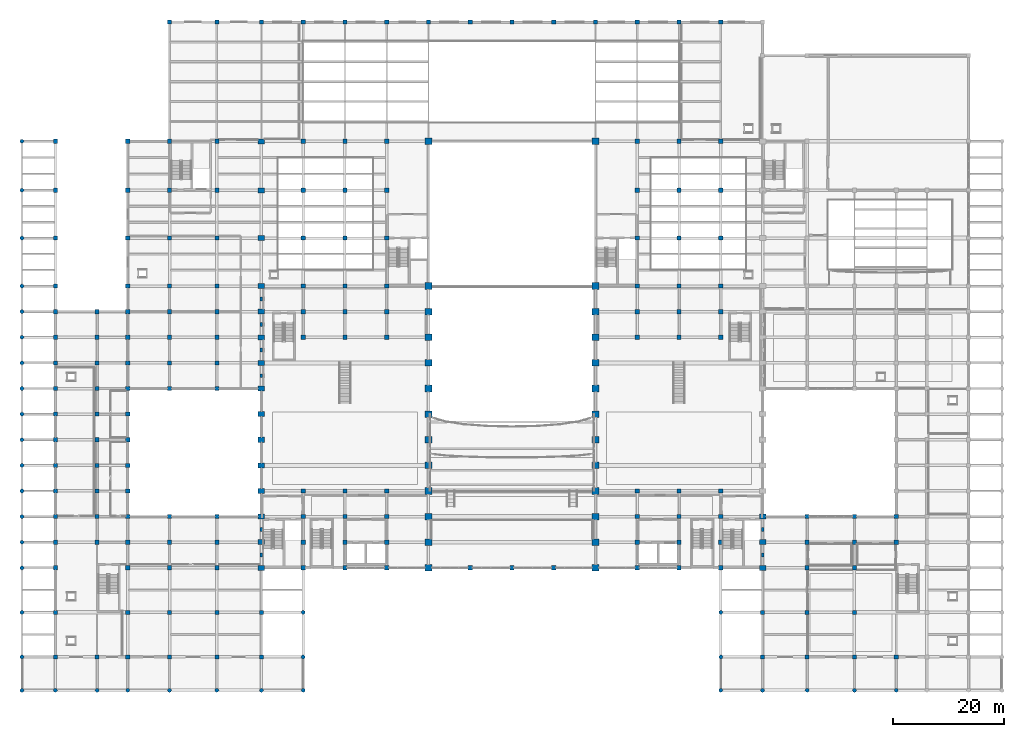
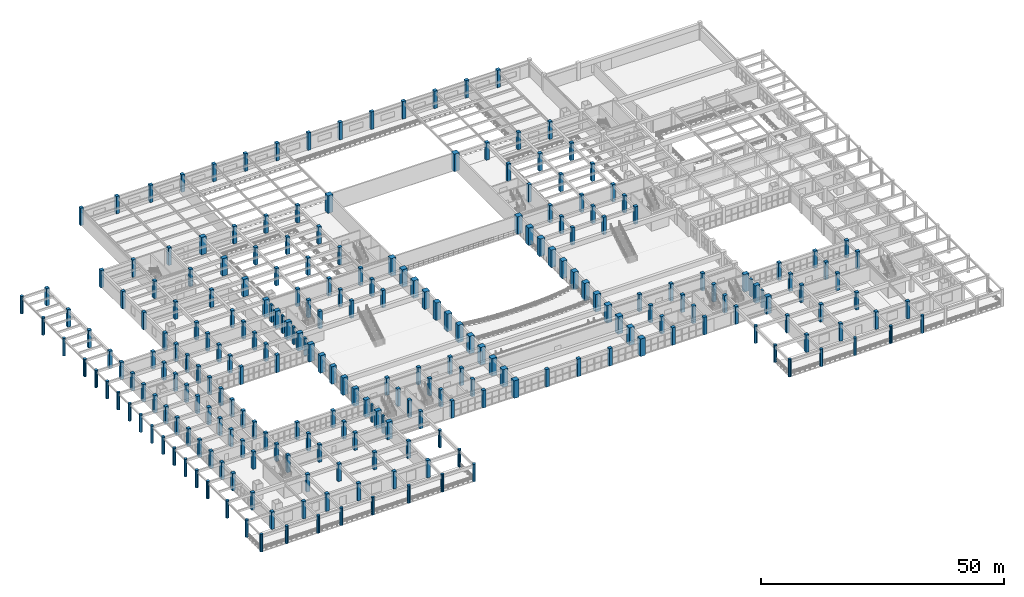
# One storey, part 1 of 116: 251 columns.
"""IFC4 building model written with IfcOpenShell, lengths in metres."""

from ifc_helpers import new_model, si_unit, direction, frame, origin, origin_2d, place, context, subcontext, project, spatial, rectangle, circle, extrude, material, material_profile, profile_set, type_object, element, save


model = new_model("IFC4")

# Units and contexts
model_context = context("Model", 3, precision=1e-05, world=origin(), true_north=direction((0.0, 1.0)))
body_context = subcontext(model_context, "Body", "Model", "MODEL_VIEW")
ifc_project = project(units=[si_unit("LENGTHUNIT", "METRE"), si_unit("AREAUNIT", "SQUARE_METRE"), si_unit("VOLUMEUNIT", "CUBIC_METRE"), si_unit("PLANEANGLEUNIT", "RADIAN"), si_unit("MASSUNIT", "GRAM", prefix="KILO")], contexts=[model_context])

# Site, building, storey
site_placement = place(None, origin())
site = spatial("IfcSite", under=ifc_project, at=site_placement, CompositionType="ELEMENT")
building_placement = place(site_placement, origin())
building = spatial("IfcBuilding", under=site, at=building_placement, Name="Muzn Square Opera House", CompositionType="ELEMENT")
storey_placement = place(building_placement, frame((0.0, 0.0, 5.39990234375)))
storey = spatial("IfcBuildingStorey", under=building, at=storey_placement, Name="L01", CompositionType="ELEMENT", Elevation=5.39990234375)

# Columns
ifc_material = material(Name="Concrete C45/55", Category="concrete")
ifc_material_profile_1 = material_profile(ifc_material, circle(Radius=0.35009765625, at=origin_2d()), Name="RCC D700", Category="concrete")
ifc_profile_set_1 = profile_set([ifc_material_profile_1], Name="Concrete C45/55")
column_type_1 = type_object("IfcColumnType", Name="Colonnade Round Column D700", PredefinedType="COLUMN", material=ifc_profile_set_1)
for number, where, z_axis, x_axis, name in (
    (1, (0.0, 0.0, 0.0), (0.0, 0.0, 1.0), (1.0, 0.0, 0.0), "Column COL-L01-COL-D700-0_0"),
    (2, (0.0, 6.0, 0.0), (0.0, 0.0, 1.0), (1.0, 0.0, 0.0), "Column COL-L01-COL-D700-0_60"),
    (3, (0.0, 14.0, 0.0), (0.0, 0.0, 1.0), (1.0, 0.0, 0.0), "Column COL-L01-COL-D700-0_140"),
    (4, (0.0, 22.0, 0.0), (0.0, 0.0, 1.0), (1.0, 0.0, 0.0), "Column COL-L01-COL-D700-0_220"),
    (5, (0.0, 26.60009765625, 0.0), (0.0, 0.0, 1.0), (1.0, 0.0, 0.0), "Column COL-L01-COL-D700-0_266"),
    (6, (0.0, 31.199951171875, 0.0), (0.0, 0.0, 1.0), (1.0, 0.0, 0.0), "Column COL-L01-COL-D700-0_312"),
    (7, (0.0, 35.800048828125, 0.0), (0.0, 0.0, 1.0), (1.0, 0.0, 0.0), "Column COL-L01-COL-D700-0_358"),
    (8, (0.0, 40.39990234375, 0.0), (0.0, 0.0, 1.0), (1.0, 0.0, 0.0), "Column COL-L01-COL-D700-0_404"),
    (9, (0.0, 45.0, 0.0), (0.0, 0.0, 1.0), (1.0, 0.0, 0.0), "Column COL-L01-COL-D700-0_450"),
    (10, (0.0, 49.60009765625, 0.0), (0.0, 0.0, 1.0), (1.0, 0.0, 0.0), "Column COL-L01-COL-D700-0_496"),
    (11, (0.0, 54.199951171875, 0.0), (0.0, 0.0, 1.0), (1.0, 0.0, 0.0), "Column COL-L01-COL-D700-0_542"),
    (12, (0.0, 58.800048828125, 0.0), (0.0, 0.0, 1.0), (1.0, 0.0, 0.0), "Column COL-L01-COL-D700-0_588"),
    (13, (0.0, 63.39990234375, 0.0), (0.0, 0.0, 1.0), (1.0, 0.0, 0.0), "Column COL-L01-COL-D700-0_634"),
    (14, (0.0, 68.0, 0.0), (0.0, 0.0, 1.0), (1.0, 0.0, 0.0), "Column COL-L01-COL-D700-0_680"),
    (15, (0.0, 72.60009765625, 0.0), (0.0, 0.0, 1.0), (1.0, 0.0, 0.0), "Column COL-L01-COL-D700-0_726"),
    (16, (0.0, 81.199951171875, 0.0), (0.0, 0.0, 1.0), (1.0, 0.0, 0.0), "Column COL-L01-COL-D700-0_812"),
    (17, (0.0, 89.800048828125, 0.0), (0.0, 0.0, 1.0), (1.0, 0.0, 0.0), "Column COL-L01-COL-D700-0_898"),
    (18, (0.0, 98.60009765625, 0.0), (0.0, 0.0, 1.0), (1.0, 0.0, 0.0), "Column COL-L01-COL-D700-0_986"),
    (19, (6.0, 0.0, 0.0), (0.0, 0.0, 1.0), (1.0, 0.0, 0.0), "Column COL-L01-COL-D700-60_0"),
    (20, (13.5, 0.0, 0.0), (0.0, 0.0, 1.0), (1.0, 0.0, 0.0), "Column COL-L01-COL-D700-135_0"),
    (21, (19.0, 0.0, 0.0), (0.0, 0.0, 1.0), (1.0, 0.0, 0.0), "Column COL-L01-COL-D700-190_0"),
    (22, (26.5, 0.0, 0.0), (0.0, 0.0, 1.0), (1.0, 0.0, 0.0), "Column COL-L01-COL-D700-265_0"),
    (23, (35.0, 0.0, 0.0), (0.0, 0.0, 1.0), (1.0, 0.0, 0.0), "Column COL-L01-COL-D700-350_0"),
    (24, (43.0, 0.0, 0.0), (0.0, 0.0, 1.0), (1.0, 0.0, 0.0), "Column COL-L01-COL-D700-430_0"),
    (25, (50.5, 0.0, 0.0), (0.0, 0.0, 1.0), (1.0, 0.0, 0.0), "Column COL-L01-COL-D700-505_0"),
    (26, (50.5, 6.0, 0.0), (0.0, 0.0, 1.0), (1.0, 0.0, 0.0), "Column COL-L01-COL-D700-505_60"),
    (27, (50.5, 14.0, 0.0), (0.0, 0.0, 1.0), (1.0, 0.0, 0.0), "Column COL-L01-COL-D700-505_140"),
    (28, (125.5, 0.0, 0.0), (0.0, 0.0, 1.0), (1.0, 0.0, 0.0), "Column COL-L01-COL-D700-1255_0"),
    (29, (125.5, 6.0, 0.0), (0.0, 0.0, 1.0), (1.0, 0.0, 0.0), "Column COL-L01-COL-D700-1255_60"),
    (30, (125.5, 14.0, 0.0), (0.0, 0.0, 1.0), (1.0, 0.0, 0.0), "Column COL-L01-COL-D700-1255_140"),
    (31, (133.0, 0.0, 0.0), (0.0, 0.0, 1.0), (1.0, 0.0, 0.0), "Column COL-L01-COL-D700-1330_0"),
    (32, (141.0, 0.0, 0.0), (0.0, 0.0, 1.0), (1.0, 0.0, 0.0), "Column COL-L01-COL-D700-1410_0"),
    (33, (149.5, 0.0, 0.0), (0.0, 0.0, 1.0), (1.0, 0.0, 0.0), "Column COL-L01-COL-D700-1495_0"),
    (34, (157.0, 0.0, 0.0), (0.0, 0.0, 1.0), (1.0, 0.0, 0.0), "Column COL-L01-COL-D700-1570_0"),
):
    element("IfcColumn", number, at=place(storey_placement, frame(where, z_axis=z_axis, x_axis=x_axis)), inside=storey, type_object=column_type_1, Name=name, PredefinedType="COLUMN", context=body_context, shape_type="SweptSolid", body=[
        extrude(circle(Radius=0.35009765625, at=origin_2d()), origin(), (0.0, 0.0, 1.0), 4.400146484375),
    ])
ifc_material_profile_2 = material_profile(ifc_material, rectangle(XDim=0.449951171875, YDim=0.699951171875, at=origin_2d()), Name="RC 450x700", Category="concrete")
ifc_profile_set_2 = profile_set([ifc_material_profile_2], Name="Concrete C45/55")
column_type_2 = type_object("IfcColumnType", Name="Facade Pilaster 450x700", PredefinedType="PILASTER", material=ifc_profile_set_2)
for number, where, z_axis, x_axis, name in (
    (35, (43.0, 24.300048828125, 0.0), (0.0, 0.0, 1.0), (1.0, 0.0, 0.0), "Engaged Pilaster PIL-L01-PIL-4570-430_243"),
    (36, (43.0, 28.89990234375, 0.0), (0.0, 0.0, 1.0), (1.0, 0.0, 0.0), "Engaged Pilaster PIL-L01-PIL-4570-430_289"),
    (37, (43.0, 56.5, 0.0), (0.0, 0.0, 1.0), (1.0, 0.0, 0.0), "Engaged Pilaster PIL-L01-PIL-4570-430_565"),
    (38, (43.0, 61.10009765625, 0.0), (0.0, 0.0, 1.0), (1.0, 0.0, 0.0), "Engaged Pilaster PIL-L01-PIL-4570-430_611"),
    (39, (43.0, 65.699951171875, 0.0), (0.0, 0.0, 1.0), (1.0, 0.0, 0.0), "Engaged Pilaster PIL-L01-PIL-4570-430_657"),
    (40, (43.0, 70.300048828125, 0.0), (0.0, 0.0, 1.0), (1.0, 0.0, 0.0), "Engaged Pilaster PIL-L01-PIL-4570-430_703"),
    (41, (133.0, 24.300048828125, 0.0), (0.0, 0.0, 1.0), (1.0, 0.0, 0.0), "Engaged Pilaster PIL-L01-PIL-4570-1330_243"),
    (42, (133.0, 28.89990234375, 0.0), (0.0, 0.0, 1.0), (1.0, 0.0, 0.0), "Engaged Pilaster PIL-L01-PIL-4570-1330_289"),
):
    element("IfcColumn", number, at=place(storey_placement, frame(where, z_axis=z_axis, x_axis=x_axis)), inside=storey, type_object=column_type_2, Name=name, PredefinedType="PILASTER", context=body_context, shape_type="SweptSolid", body=[
        extrude(rectangle(XDim=0.449951171875, YDim=0.699951171875, at=origin_2d()), origin(), (0.0, 0.0, 1.0), 4.400146484375),
    ])
ifc_material_profile_3 = material_profile(ifc_material, rectangle(XDim=1.199951171875, YDim=1.199951171875, at=origin_2d()), Name="RC 1200x1200", Category="concrete")
ifc_profile_set_3 = profile_set([ifc_material_profile_3], Name="Concrete C45/55")
column_type_3 = type_object("IfcColumnType", Name="Frame Column 1200x1200", PredefinedType="COLUMN", material=ifc_profile_set_3)
for number, where, z_axis, x_axis, name in (
    (43, (73.0, 22.0, 0.0), (0.0, 0.0, 1.0), (1.0, 0.0, 0.0), "Column COL-L01-COL-1200-730_220"),
    (44, (73.0, 26.60009765625, 0.0), (0.0, 0.0, 1.0), (1.0, 0.0, 0.0), "Column COL-L01-COL-1200-730_266"),
    (45, (73.0, 31.199951171875, 0.0), (0.0, 0.0, 1.0), (1.0, 0.0, 0.0), "Column COL-L01-COL-1200-730_312"),
    (46, (73.0, 35.800048828125, 0.0), (0.0, 0.0, 1.0), (1.0, 0.0, 0.0), "Column COL-L01-COL-1200-730_358"),
    (47, (73.0, 40.39990234375, 0.0), (0.0, 0.0, 1.0), (1.0, 0.0, 0.0), "Column COL-L01-COL-1200-730_404"),
    (48, (73.0, 45.0, 0.0), (0.0, 0.0, 1.0), (1.0, 0.0, 0.0), "Column COL-L01-COL-1200-730_450"),
    (49, (73.0, 49.60009765625, 0.0), (0.0, 0.0, 1.0), (1.0, 0.0, 0.0), "Column COL-L01-COL-1200-730_496"),
    (50, (73.0, 54.199951171875, 0.0), (0.0, 0.0, 1.0), (1.0, 0.0, 0.0), "Column COL-L01-COL-1200-730_542"),
    (51, (73.0, 58.800048828125, 0.0), (0.0, 0.0, 1.0), (1.0, 0.0, 0.0), "Column COL-L01-COL-1200-730_588"),
    (52, (73.0, 63.39990234375, 0.0), (0.0, 0.0, 1.0), (1.0, 0.0, 0.0), "Column COL-L01-COL-1200-730_634"),
    (53, (73.0, 68.0, 0.0), (0.0, 0.0, 1.0), (1.0, 0.0, 0.0), "Column COL-L01-COL-1200-730_680"),
    (54, (73.0, 72.60009765625, 0.0), (0.0, 0.0, 1.0), (1.0, 0.0, 0.0), "Column COL-L01-COL-1200-730_726"),
    (55, (73.0, 98.60009765625, 0.0), (0.0, 0.0, 1.0), (1.0, 0.0, 0.0), "Column COL-L01-COL-1200-730_986"),
    (56, (103.0, 22.0, 0.0), (0.0, 0.0, 1.0), (1.0, 0.0, 0.0), "Column COL-L01-COL-1200-1030_220"),
    (57, (103.0, 26.60009765625, 0.0), (0.0, 0.0, 1.0), (1.0, 0.0, 0.0), "Column COL-L01-COL-1200-1030_266"),
    (58, (103.0, 31.199951171875, 0.0), (0.0, 0.0, 1.0), (1.0, 0.0, 0.0), "Column COL-L01-COL-1200-1030_312"),
    (59, (103.0, 35.800048828125, 0.0), (0.0, 0.0, 1.0), (1.0, 0.0, 0.0), "Column COL-L01-COL-1200-1030_358"),
    (60, (103.0, 40.39990234375, 0.0), (0.0, 0.0, 1.0), (1.0, 0.0, 0.0), "Column COL-L01-COL-1200-1030_404"),
    (61, (103.0, 45.0, 0.0), (0.0, 0.0, 1.0), (1.0, 0.0, 0.0), "Column COL-L01-COL-1200-1030_450"),
    (62, (103.0, 49.60009765625, 0.0), (0.0, 0.0, 1.0), (1.0, 0.0, 0.0), "Column COL-L01-COL-1200-1030_496"),
    (63, (103.0, 54.199951171875, 0.0), (0.0, 0.0, 1.0), (1.0, 0.0, 0.0), "Column COL-L01-COL-1200-1030_542"),
    (64, (103.0, 58.800048828125, 0.0), (0.0, 0.0, 1.0), (1.0, 0.0, 0.0), "Column COL-L01-COL-1200-1030_588"),
    (65, (103.0, 63.39990234375, 0.0), (0.0, 0.0, 1.0), (1.0, 0.0, 0.0), "Column COL-L01-COL-1200-1030_634"),
    (66, (103.0, 68.0, 0.0), (0.0, 0.0, 1.0), (1.0, 0.0, 0.0), "Column COL-L01-COL-1200-1030_680"),
    (67, (103.0, 72.60009765625, 0.0), (0.0, 0.0, 1.0), (1.0, 0.0, 0.0), "Column COL-L01-COL-1200-1030_726"),
    (68, (103.0, 98.60009765625, 0.0), (0.0, 0.0, 1.0), (1.0, 0.0, 0.0), "Column COL-L01-COL-1200-1030_986"),
):
    element("IfcColumn", number, at=place(storey_placement, frame(where, z_axis=z_axis, x_axis=x_axis)), inside=storey, type_object=column_type_3, Name=name, PredefinedType="COLUMN", context=body_context, shape_type="SweptSolid", body=[
        extrude(rectangle(XDim=1.199951171875, YDim=1.199951171875, at=origin_2d()), origin(), (0.0, 0.0, 1.0), 4.400146484375),
    ])
ifc_material_profile_4 = material_profile(ifc_material, rectangle(XDim=1.199951171875, YDim=0.89990234375, at=origin_2d()), Name="RC 1200x900", Category="concrete")
ifc_profile_set_4 = profile_set([ifc_material_profile_4], Name="Concrete C45/55")
column_type_4 = type_object("IfcColumnType", Name="Frame Column 1200x900", PredefinedType="COLUMN", material=ifc_profile_set_4)
for number, where, z_axis, x_axis, name in (
    (69, (43.0, 22.0, 0.0), (0.0, 0.0, 1.0), (1.0, 0.0, 0.0), "Column COL-L01-COL-1209-430_220"),
    (70, (43.0, 26.60009765625, 0.0), (0.0, 0.0, 1.0), (1.0, 0.0, 0.0), "Column COL-L01-COL-1209-430_266"),
    (71, (43.0, 31.199951171875, 0.0), (0.0, 0.0, 1.0), (1.0, 0.0, 0.0), "Column COL-L01-COL-1209-430_312"),
    (72, (43.0, 35.800048828125, 0.0), (0.0, 0.0, 1.0), (1.0, 0.0, 0.0), "Column COL-L01-COL-1209-430_358"),
    (73, (43.0, 40.39990234375, 0.0), (0.0, 0.0, 1.0), (1.0, 0.0, 0.0), "Column COL-L01-COL-1209-430_404"),
    (74, (43.0, 45.0, 0.0), (0.0, 0.0, 1.0), (1.0, 0.0, 0.0), "Column COL-L01-COL-1209-430_450"),
    (75, (43.0, 49.60009765625, 0.0), (0.0, 0.0, 1.0), (1.0, 0.0, 0.0), "Column COL-L01-COL-1209-430_496"),
    (76, (43.0, 54.199951171875, 0.0), (0.0, 0.0, 1.0), (1.0, 0.0, 0.0), "Column COL-L01-COL-1209-430_542"),
    (77, (43.0, 58.800048828125, 0.0), (0.0, 0.0, 1.0), (1.0, 0.0, 0.0), "Column COL-L01-COL-1209-430_588"),
    (78, (43.0, 63.39990234375, 0.0), (0.0, 0.0, 1.0), (1.0, 0.0, 0.0), "Column COL-L01-COL-1209-430_634"),
    (79, (43.0, 68.0, 0.0), (0.0, 0.0, 1.0), (1.0, 0.0, 0.0), "Column COL-L01-COL-1209-430_680"),
    (80, (43.0, 72.60009765625, 0.0), (0.0, 0.0, 1.0), (1.0, 0.0, 0.0), "Column COL-L01-COL-1209-430_726"),
    (81, (43.0, 81.199951171875, 0.0), (0.0, 0.0, 1.0), (1.0, 0.0, 0.0), "Column COL-L01-COL-1209-430_812"),
    (82, (43.0, 89.800048828125, 0.0), (0.0, 0.0, 1.0), (1.0, 0.0, 0.0), "Column COL-L01-COL-1209-430_898"),
    (83, (43.0, 98.60009765625, 0.0), (0.0, 0.0, 1.0), (1.0, 0.0, 0.0), "Column COL-L01-COL-1209-430_986"),
    (84, (133.0, 22.0, 0.0), (0.0, 0.0, 1.0), (1.0, 0.0, 0.0), "Column COL-L01-COL-1209-1330_220"),
    (85, (133.0, 26.60009765625, 0.0), (0.0, 0.0, 1.0), (1.0, 0.0, 0.0), "Column COL-L01-COL-1209-1330_266"),
    (86, (133.0, 31.199951171875, 0.0), (0.0, 0.0, 1.0), (1.0, 0.0, 0.0), "Column COL-L01-COL-1209-1330_312"),
):
    element("IfcColumn", number, at=place(storey_placement, frame(where, z_axis=z_axis, x_axis=x_axis)), inside=storey, type_object=column_type_4, Name=name, PredefinedType="COLUMN", context=body_context, shape_type="SweptSolid", body=[
        extrude(rectangle(XDim=1.199951171875, YDim=0.89990234375, at=origin_2d()), origin(), (0.0, 0.0, 1.0), 4.400146484375),
    ])
ifc_material_profile_5 = material_profile(ifc_material, rectangle(XDim=0.75, YDim=0.75, at=origin_2d()), Name="RC 750x750", Category="concrete")
ifc_profile_set_5 = profile_set([ifc_material_profile_5], Name="Concrete C45/55")
column_type_5 = type_object("IfcColumnType", Name="Frame Column 750x750", PredefinedType="COLUMN", material=ifc_profile_set_5)
for number, where, z_axis, x_axis, name in (
    (87, (6.0, 6.0, 0.0), (0.0, 0.0, 1.0), (1.0, 0.0, 0.0), "Column COL-L01-COL-750-60_60"),
    (88, (6.0, 14.0, 0.0), (0.0, 0.0, 1.0), (1.0, 0.0, 0.0), "Column COL-L01-COL-750-60_140"),
    (89, (6.0, 22.0, 0.0), (0.0, 0.0, 1.0), (1.0, 0.0, 0.0), "Column COL-L01-COL-750-60_220"),
    (90, (6.0, 26.60009765625, 0.0), (0.0, 0.0, 1.0), (1.0, 0.0, 0.0), "Column COL-L01-COL-750-60_266"),
    (91, (6.0, 31.199951171875, 0.0), (0.0, 0.0, 1.0), (1.0, 0.0, 0.0), "Column COL-L01-COL-750-60_312"),
    (92, (6.0, 35.800048828125, 0.0), (0.0, 0.0, 1.0), (1.0, 0.0, 0.0), "Column COL-L01-COL-750-60_358"),
    (93, (6.0, 40.39990234375, 0.0), (0.0, 0.0, 1.0), (1.0, 0.0, 0.0), "Column COL-L01-COL-750-60_404"),
    (94, (6.0, 45.0, 0.0), (0.0, 0.0, 1.0), (1.0, 0.0, 0.0), "Column COL-L01-COL-750-60_450"),
    (95, (6.0, 49.60009765625, 0.0), (0.0, 0.0, 1.0), (1.0, 0.0, 0.0), "Column COL-L01-COL-750-60_496"),
    (96, (6.0, 54.199951171875, 0.0), (0.0, 0.0, 1.0), (1.0, 0.0, 0.0), "Column COL-L01-COL-750-60_542"),
    (97, (6.0, 58.800048828125, 0.0), (0.0, 0.0, 1.0), (1.0, 0.0, 0.0), "Column COL-L01-COL-750-60_588"),
    (98, (6.0, 63.39990234375, 0.0), (0.0, 0.0, 1.0), (1.0, 0.0, 0.0), "Column COL-L01-COL-750-60_634"),
    (99, (6.0, 68.0, 0.0), (0.0, 0.0, 1.0), (1.0, 0.0, 0.0), "Column COL-L01-COL-750-60_680"),
    (100, (6.0, 72.60009765625, 0.0), (0.0, 0.0, 1.0), (1.0, 0.0, 0.0), "Column COL-L01-COL-750-60_726"),
    (101, (6.0, 81.199951171875, 0.0), (0.0, 0.0, 1.0), (1.0, 0.0, 0.0), "Column COL-L01-COL-750-60_812"),
    (102, (6.0, 89.800048828125, 0.0), (0.0, 0.0, 1.0), (1.0, 0.0, 0.0), "Column COL-L01-COL-750-60_898"),
    (103, (6.0, 98.60009765625, 0.0), (0.0, 0.0, 1.0), (1.0, 0.0, 0.0), "Column COL-L01-COL-750-60_986"),
    (104, (13.5, 6.0, 0.0), (0.0, 0.0, 1.0), (1.0, 0.0, 0.0), "Column COL-L01-COL-750-135_60"),
    (105, (13.5, 26.60009765625, 0.0), (0.0, 0.0, 1.0), (1.0, 0.0, 0.0), "Column COL-L01-COL-750-135_266"),
    (106, (13.5, 31.199951171875, 0.0), (0.0, 0.0, 1.0), (1.0, 0.0, 0.0), "Column COL-L01-COL-750-135_312"),
    (107, (13.5, 35.800048828125, 0.0), (0.0, 0.0, 1.0), (1.0, 0.0, 0.0), "Column COL-L01-COL-750-135_358"),
    (108, (13.5, 40.39990234375, 0.0), (0.0, 0.0, 1.0), (1.0, 0.0, 0.0), "Column COL-L01-COL-750-135_404"),
    (109, (13.5, 45.0, 0.0), (0.0, 0.0, 1.0), (1.0, 0.0, 0.0), "Column COL-L01-COL-750-135_450"),
    (110, (13.5, 49.60009765625, 0.0), (0.0, 0.0, 1.0), (1.0, 0.0, 0.0), "Column COL-L01-COL-750-135_496"),
    (111, (13.5, 54.199951171875, 0.0), (0.0, 0.0, 1.0), (1.0, 0.0, 0.0), "Column COL-L01-COL-750-135_542"),
    (112, (13.5, 58.800048828125, 0.0), (0.0, 0.0, 1.0), (1.0, 0.0, 0.0), "Column COL-L01-COL-750-135_588"),
    (113, (13.5, 63.39990234375, 0.0), (0.0, 0.0, 1.0), (1.0, 0.0, 0.0), "Column COL-L01-COL-750-135_634"),
    (114, (13.5, 68.0, 0.0), (0.0, 0.0, 1.0), (1.0, 0.0, 0.0), "Column COL-L01-COL-750-135_680"),
    (115, (19.0, 6.0, 0.0), (0.0, 0.0, 1.0), (1.0, 0.0, 0.0), "Column COL-L01-COL-750-190_60"),
    (116, (19.0, 14.0, 0.0), (0.0, 0.0, 1.0), (1.0, 0.0, 0.0), "Column COL-L01-COL-750-190_140"),
    (117, (19.0, 22.0, 0.0), (0.0, 0.0, 1.0), (1.0, 0.0, 0.0), "Column COL-L01-COL-750-190_220"),
    (118, (19.0, 26.60009765625, 0.0), (0.0, 0.0, 1.0), (1.0, 0.0, 0.0), "Column COL-L01-COL-750-190_266"),
    (119, (19.0, 31.199951171875, 0.0), (0.0, 0.0, 1.0), (1.0, 0.0, 0.0), "Column COL-L01-COL-750-190_312"),
    (120, (19.0, 35.800048828125, 0.0), (0.0, 0.0, 1.0), (1.0, 0.0, 0.0), "Column COL-L01-COL-750-190_358"),
    (121, (19.0, 40.39990234375, 0.0), (0.0, 0.0, 1.0), (1.0, 0.0, 0.0), "Column COL-L01-COL-750-190_404"),
    (122, (19.0, 45.0, 0.0), (0.0, 0.0, 1.0), (1.0, 0.0, 0.0), "Column COL-L01-COL-750-190_450"),
    (123, (19.0, 49.60009765625, 0.0), (0.0, 0.0, 1.0), (1.0, 0.0, 0.0), "Column COL-L01-COL-750-190_496"),
    (124, (19.0, 54.199951171875, 0.0), (0.0, 0.0, 1.0), (1.0, 0.0, 0.0), "Column COL-L01-COL-750-190_542"),
    (125, (19.0, 58.800048828125, 0.0), (0.0, 0.0, 1.0), (1.0, 0.0, 0.0), "Column COL-L01-COL-750-190_588"),
    (126, (19.0, 63.39990234375, 0.0), (0.0, 0.0, 1.0), (1.0, 0.0, 0.0), "Column COL-L01-COL-750-190_634"),
    (127, (19.0, 68.0, 0.0), (0.0, 0.0, 1.0), (1.0, 0.0, 0.0), "Column COL-L01-COL-750-190_680"),
    (128, (19.0, 72.60009765625, 0.0), (0.0, 0.0, 1.0), (1.0, 0.0, 0.0), "Column COL-L01-COL-750-190_726"),
    (129, (19.0, 81.199951171875, 0.0), (0.0, 0.0, 1.0), (1.0, 0.0, 0.0), "Column COL-L01-COL-750-190_812"),
    (130, (19.0, 89.800048828125, 0.0), (0.0, 0.0, 1.0), (1.0, 0.0, 0.0), "Column COL-L01-COL-750-190_898"),
    (131, (19.0, 98.60009765625, 0.0), (0.0, 0.0, 1.0), (1.0, 0.0, 0.0), "Column COL-L01-COL-750-190_986"),
    (132, (26.5, 6.0, 0.0), (0.0, 0.0, 1.0), (1.0, 0.0, 0.0), "Column COL-L01-COL-750-265_60"),
    (133, (26.5, 14.0, 0.0), (0.0, 0.0, 1.0), (1.0, 0.0, 0.0), "Column COL-L01-COL-750-265_140"),
    (134, (26.5, 22.0, 0.0), (0.0, 0.0, 1.0), (1.0, 0.0, 0.0), "Column COL-L01-COL-750-265_220"),
    (135, (26.5, 26.60009765625, 0.0), (0.0, 0.0, 1.0), (1.0, 0.0, 0.0), "Column COL-L01-COL-750-265_266"),
    (136, (26.5, 31.199951171875, 0.0), (0.0, 0.0, 1.0), (1.0, 0.0, 0.0), "Column COL-L01-COL-750-265_312"),
    (137, (26.5, 54.199951171875, 0.0), (0.0, 0.0, 1.0), (1.0, 0.0, 0.0), "Column COL-L01-COL-750-265_542"),
    (138, (26.5, 58.800048828125, 0.0), (0.0, 0.0, 1.0), (1.0, 0.0, 0.0), "Column COL-L01-COL-750-265_588"),
    (139, (26.5, 63.39990234375, 0.0), (0.0, 0.0, 1.0), (1.0, 0.0, 0.0), "Column COL-L01-COL-750-265_634"),
    (140, (26.5, 68.0, 0.0), (0.0, 0.0, 1.0), (1.0, 0.0, 0.0), "Column COL-L01-COL-750-265_680"),
    (141, (26.5, 72.60009765625, 0.0), (0.0, 0.0, 1.0), (1.0, 0.0, 0.0), "Column COL-L01-COL-750-265_726"),
    (142, (26.5, 81.199951171875, 0.0), (0.0, 0.0, 1.0), (1.0, 0.0, 0.0), "Column COL-L01-COL-750-265_812"),
    (143, (26.5, 89.800048828125, 0.0), (0.0, 0.0, 1.0), (1.0, 0.0, 0.0), "Column COL-L01-COL-750-265_898"),
    (144, (26.5, 98.60009765625, 0.0), (0.0, 0.0, 1.0), (1.0, 0.0, 0.0), "Column COL-L01-COL-750-265_986"),
    (145, (26.5, 120.0, 0.0), (0.0, 0.0, 1.0), (1.0, 0.0, 0.0), "Column COL-L01-COL-750-265_1200"),
    (146, (35.0, 6.0, 0.0), (0.0, 0.0, 1.0), (1.0, 0.0, 0.0), "Column COL-L01-COL-750-350_60"),
    (147, (35.0, 14.0, 0.0), (0.0, 0.0, 1.0), (1.0, 0.0, 0.0), "Column COL-L01-COL-750-350_140"),
    (148, (35.0, 22.0, 0.0), (0.0, 0.0, 1.0), (1.0, 0.0, 0.0), "Column COL-L01-COL-750-350_220"),
    (149, (35.0, 26.60009765625, 0.0), (0.0, 0.0, 1.0), (1.0, 0.0, 0.0), "Column COL-L01-COL-750-350_266"),
    (150, (35.0, 31.199951171875, 0.0), (0.0, 0.0, 1.0), (1.0, 0.0, 0.0), "Column COL-L01-COL-750-350_312"),
    (151, (35.0, 54.199951171875, 0.0), (0.0, 0.0, 1.0), (1.0, 0.0, 0.0), "Column COL-L01-COL-750-350_542"),
    (152, (35.0, 58.800048828125, 0.0), (0.0, 0.0, 1.0), (1.0, 0.0, 0.0), "Column COL-L01-COL-750-350_588"),
    (153, (35.0, 63.39990234375, 0.0), (0.0, 0.0, 1.0), (1.0, 0.0, 0.0), "Column COL-L01-COL-750-350_634"),
    (154, (35.0, 68.0, 0.0), (0.0, 0.0, 1.0), (1.0, 0.0, 0.0), "Column COL-L01-COL-750-350_680"),
    (155, (35.0, 72.60009765625, 0.0), (0.0, 0.0, 1.0), (1.0, 0.0, 0.0), "Column COL-L01-COL-750-350_726"),
    (156, (35.0, 81.199951171875, 0.0), (0.0, 0.0, 1.0), (1.0, 0.0, 0.0), "Column COL-L01-COL-750-350_812"),
    (157, (35.0, 89.800048828125, 0.0), (0.0, 0.0, 1.0), (1.0, 0.0, 0.0), "Column COL-L01-COL-750-350_898"),
    (158, (35.0, 98.60009765625, 0.0), (0.0, 0.0, 1.0), (1.0, 0.0, 0.0), "Column COL-L01-COL-750-350_986"),
    (159, (35.0, 120.0, 0.0), (0.0, 0.0, 1.0), (1.0, 0.0, 0.0), "Column COL-L01-COL-750-350_1200"),
    (160, (43.0, 6.0, 0.0), (0.0, 0.0, 1.0), (1.0, 0.0, 0.0), "Column COL-L01-COL-750-430_60"),
    (161, (43.0, 14.0, 0.0), (0.0, 0.0, 1.0), (1.0, 0.0, 0.0), "Column COL-L01-COL-750-430_140"),
    (162, (43.0, 120.0, 0.0), (0.0, 0.0, 1.0), (1.0, 0.0, 0.0), "Column COL-L01-COL-750-430_1200"),
    (163, (50.5, 22.0, 0.0), (0.0, 0.0, 1.0), (1.0, 0.0, 0.0), "Column COL-L01-COL-750-505_220"),
    (164, (50.5, 26.60009765625, 0.0), (0.0, 0.0, 1.0), (1.0, 0.0, 0.0), "Column COL-L01-COL-750-505_266"),
    (165, (50.5, 31.199951171875, 0.0), (0.0, 0.0, 1.0), (1.0, 0.0, 0.0), "Column COL-L01-COL-750-505_312"),
    (166, (50.5, 35.800048828125, 0.0), (0.0, 0.0, 1.0), (1.0, 0.0, 0.0), "Column COL-L01-COL-750-505_358"),
    (167, (50.5, 63.39990234375, 0.0), (0.0, 0.0, 1.0), (1.0, 0.0, 0.0), "Column COL-L01-COL-750-505_634"),
    (168, (50.5, 68.0, 0.0), (0.0, 0.0, 1.0), (1.0, 0.0, 0.0), "Column COL-L01-COL-750-505_680"),
    (169, (50.5, 72.60009765625, 0.0), (0.0, 0.0, 1.0), (1.0, 0.0, 0.0), "Column COL-L01-COL-750-505_726"),
    (170, (50.5, 81.199951171875, 0.0), (0.0, 0.0, 1.0), (1.0, 0.0, 0.0), "Column COL-L01-COL-750-505_812"),
    (171, (50.5, 89.800048828125, 0.0), (0.0, 0.0, 1.0), (1.0, 0.0, 0.0), "Column COL-L01-COL-750-505_898"),
    (172, (50.5, 98.60009765625, 0.0), (0.0, 0.0, 1.0), (1.0, 0.0, 0.0), "Column COL-L01-COL-750-505_986"),
    (173, (50.5, 120.0, 0.0), (0.0, 0.0, 1.0), (1.0, 0.0, 0.0), "Column COL-L01-COL-750-505_1200"),
    (174, (58.0, 22.0, 0.0), (0.0, 0.0, 1.0), (1.0, 0.0, 0.0), "Column COL-L01-COL-750-580_220"),
    (175, (58.0, 26.60009765625, 0.0), (0.0, 0.0, 1.0), (1.0, 0.0, 0.0), "Column COL-L01-COL-750-580_266"),
    (176, (58.0, 31.199951171875, 0.0), (0.0, 0.0, 1.0), (1.0, 0.0, 0.0), "Column COL-L01-COL-750-580_312"),
    (177, (58.0, 35.800048828125, 0.0), (0.0, 0.0, 1.0), (1.0, 0.0, 0.0), "Column COL-L01-COL-750-580_358"),
    (178, (58.0, 63.39990234375, 0.0), (0.0, 0.0, 1.0), (1.0, 0.0, 0.0), "Column COL-L01-COL-750-580_634"),
    (179, (58.0, 68.0, 0.0), (0.0, 0.0, 1.0), (1.0, 0.0, 0.0), "Column COL-L01-COL-750-580_680"),
    (180, (58.0, 72.60009765625, 0.0), (0.0, 0.0, 1.0), (1.0, 0.0, 0.0), "Column COL-L01-COL-750-580_726"),
    (181, (58.0, 81.199951171875, 0.0), (0.0, 0.0, 1.0), (1.0, 0.0, 0.0), "Column COL-L01-COL-750-580_812"),
    (182, (58.0, 89.800048828125, 0.0), (0.0, 0.0, 1.0), (1.0, 0.0, 0.0), "Column COL-L01-COL-750-580_898"),
    (183, (58.0, 98.60009765625, 0.0), (0.0, 0.0, 1.0), (1.0, 0.0, 0.0), "Column COL-L01-COL-750-580_986"),
    (184, (58.0, 120.0, 0.0), (0.0, 0.0, 1.0), (1.0, 0.0, 0.0), "Column COL-L01-COL-750-580_1200"),
    (185, (65.5, 22.0, 0.0), (0.0, 0.0, 1.0), (1.0, 0.0, 0.0), "Column COL-L01-COL-750-655_220"),
    (186, (65.5, 26.60009765625, 0.0), (0.0, 0.0, 1.0), (1.0, 0.0, 0.0), "Column COL-L01-COL-750-655_266"),
    (187, (65.5, 31.199951171875, 0.0), (0.0, 0.0, 1.0), (1.0, 0.0, 0.0), "Column COL-L01-COL-750-655_312"),
    (188, (65.5, 35.800048828125, 0.0), (0.0, 0.0, 1.0), (1.0, 0.0, 0.0), "Column COL-L01-COL-750-655_358"),
    (189, (65.5, 63.39990234375, 0.0), (0.0, 0.0, 1.0), (1.0, 0.0, 0.0), "Column COL-L01-COL-750-655_634"),
    (190, (65.5, 68.0, 0.0), (0.0, 0.0, 1.0), (1.0, 0.0, 0.0), "Column COL-L01-COL-750-655_680"),
    (191, (65.5, 72.60009765625, 0.0), (0.0, 0.0, 1.0), (1.0, 0.0, 0.0), "Column COL-L01-COL-750-655_726"),
    (192, (65.5, 81.199951171875, 0.0), (0.0, 0.0, 1.0), (1.0, 0.0, 0.0), "Column COL-L01-COL-750-655_812"),
    (193, (65.5, 89.800048828125, 0.0), (0.0, 0.0, 1.0), (1.0, 0.0, 0.0), "Column COL-L01-COL-750-655_898"),
    (194, (65.5, 98.60009765625, 0.0), (0.0, 0.0, 1.0), (1.0, 0.0, 0.0), "Column COL-L01-COL-750-655_986"),
    (195, (65.5, 120.0, 0.0), (0.0, 0.0, 1.0), (1.0, 0.0, 0.0), "Column COL-L01-COL-750-655_1200"),
    (196, (73.0, 120.0, 0.0), (0.0, 0.0, 1.0), (1.0, 0.0, 0.0), "Column COL-L01-COL-750-730_1200"),
    (197, (80.5, 22.0, 0.0), (0.0, 0.0, 1.0), (1.0, 0.0, 0.0), "Column COL-L01-COL-750-805_220"),
    (198, (80.5, 120.0, 0.0), (0.0, 0.0, 1.0), (1.0, 0.0, 0.0), "Column COL-L01-COL-750-805_1200"),
    (199, (88.0, 22.0, 0.0), (0.0, 0.0, 1.0), (1.0, 0.0, 0.0), "Column COL-L01-COL-750-880_220"),
    (200, (88.0, 120.0, 0.0), (0.0, 0.0, 1.0), (1.0, 0.0, 0.0), "Column COL-L01-COL-750-880_1200"),
    (201, (95.5, 22.0, 0.0), (0.0, 0.0, 1.0), (1.0, 0.0, 0.0), "Column COL-L01-COL-750-955_220"),
    (202, (95.5, 120.0, 0.0), (0.0, 0.0, 1.0), (1.0, 0.0, 0.0), "Column COL-L01-COL-750-955_1200"),
    (203, (103.0, 120.0, 0.0), (0.0, 0.0, 1.0), (1.0, 0.0, 0.0), "Column COL-L01-COL-750-1030_1200"),
    (204, (110.5, 22.0, 0.0), (0.0, 0.0, 1.0), (1.0, 0.0, 0.0), "Column COL-L01-COL-750-1105_220"),
    (205, (110.5, 26.60009765625, 0.0), (0.0, 0.0, 1.0), (1.0, 0.0, 0.0), "Column COL-L01-COL-750-1105_266"),
    (206, (110.5, 31.199951171875, 0.0), (0.0, 0.0, 1.0), (1.0, 0.0, 0.0), "Column COL-L01-COL-750-1105_312"),
    (207, (110.5, 35.800048828125, 0.0), (0.0, 0.0, 1.0), (1.0, 0.0, 0.0), "Column COL-L01-COL-750-1105_358"),
    (208, (110.5, 63.39990234375, 0.0), (0.0, 0.0, 1.0), (1.0, 0.0, 0.0), "Column COL-L01-COL-750-1105_634"),
    (209, (110.5, 68.0, 0.0), (0.0, 0.0, 1.0), (1.0, 0.0, 0.0), "Column COL-L01-COL-750-1105_680"),
    (210, (110.5, 72.60009765625, 0.0), (0.0, 0.0, 1.0), (1.0, 0.0, 0.0), "Column COL-L01-COL-750-1105_726"),
    (211, (110.5, 81.199951171875, 0.0), (0.0, 0.0, 1.0), (1.0, 0.0, 0.0), "Column COL-L01-COL-750-1105_812"),
    (212, (110.5, 89.800048828125, 0.0), (0.0, 0.0, 1.0), (1.0, 0.0, 0.0), "Column COL-L01-COL-750-1105_898"),
    (213, (110.5, 98.60009765625, 0.0), (0.0, 0.0, 1.0), (1.0, 0.0, 0.0), "Column COL-L01-COL-750-1105_986"),
    (214, (110.5, 120.0, 0.0), (0.0, 0.0, 1.0), (1.0, 0.0, 0.0), "Column COL-L01-COL-750-1105_1200"),
    (215, (118.0, 22.0, 0.0), (0.0, 0.0, 1.0), (1.0, 0.0, 0.0), "Column COL-L01-COL-750-1180_220"),
    (216, (118.0, 26.60009765625, 0.0), (0.0, 0.0, 1.0), (1.0, 0.0, 0.0), "Column COL-L01-COL-750-1180_266"),
    (217, (118.0, 31.199951171875, 0.0), (0.0, 0.0, 1.0), (1.0, 0.0, 0.0), "Column COL-L01-COL-750-1180_312"),
    (218, (118.0, 35.800048828125, 0.0), (0.0, 0.0, 1.0), (1.0, 0.0, 0.0), "Column COL-L01-COL-750-1180_358"),
    (219, (118.0, 63.39990234375, 0.0), (0.0, 0.0, 1.0), (1.0, 0.0, 0.0), "Column COL-L01-COL-750-1180_634"),
    (220, (118.0, 68.0, 0.0), (0.0, 0.0, 1.0), (1.0, 0.0, 0.0), "Column COL-L01-COL-750-1180_680"),
    (221, (118.0, 72.60009765625, 0.0), (0.0, 0.0, 1.0), (1.0, 0.0, 0.0), "Column COL-L01-COL-750-1180_726"),
    (222, (118.0, 81.199951171875, 0.0), (0.0, 0.0, 1.0), (1.0, 0.0, 0.0), "Column COL-L01-COL-750-1180_812"),
    (223, (118.0, 89.800048828125, 0.0), (0.0, 0.0, 1.0), (1.0, 0.0, 0.0), "Column COL-L01-COL-750-1180_898"),
    (224, (118.0, 98.60009765625, 0.0), (0.0, 0.0, 1.0), (1.0, 0.0, 0.0), "Column COL-L01-COL-750-1180_986"),
    (225, (118.0, 120.0, 0.0), (0.0, 0.0, 1.0), (1.0, 0.0, 0.0), "Column COL-L01-COL-750-1180_1200"),
    (226, (125.5, 22.0, 0.0), (0.0, 0.0, 1.0), (1.0, 0.0, 0.0), "Column COL-L01-COL-750-1255_220"),
    (227, (125.5, 26.60009765625, 0.0), (0.0, 0.0, 1.0), (1.0, 0.0, 0.0), "Column COL-L01-COL-750-1255_266"),
    (228, (125.5, 31.199951171875, 0.0), (0.0, 0.0, 1.0), (1.0, 0.0, 0.0), "Column COL-L01-COL-750-1255_312"),
    (229, (125.5, 35.800048828125, 0.0), (0.0, 0.0, 1.0), (1.0, 0.0, 0.0), "Column COL-L01-COL-750-1255_358"),
    (230, (125.5, 63.39990234375, 0.0), (0.0, 0.0, 1.0), (1.0, 0.0, 0.0), "Column COL-L01-COL-750-1255_634"),
    (231, (125.5, 68.0, 0.0), (0.0, 0.0, 1.0), (1.0, 0.0, 0.0), "Column COL-L01-COL-750-1255_680"),
    (232, (125.5, 72.60009765625, 0.0), (0.0, 0.0, 1.0), (1.0, 0.0, 0.0), "Column COL-L01-COL-750-1255_726"),
    (233, (125.5, 81.199951171875, 0.0), (0.0, 0.0, 1.0), (1.0, 0.0, 0.0), "Column COL-L01-COL-750-1255_812"),
    (234, (125.5, 89.800048828125, 0.0), (0.0, 0.0, 1.0), (1.0, 0.0, 0.0), "Column COL-L01-COL-750-1255_898"),
    (235, (125.5, 98.60009765625, 0.0), (0.0, 0.0, 1.0), (1.0, 0.0, 0.0), "Column COL-L01-COL-750-1255_986"),
    (236, (125.5, 120.0, 0.0), (0.0, 0.0, 1.0), (1.0, 0.0, 0.0), "Column COL-L01-COL-750-1255_1200"),
    (237, (133.0, 6.0, 0.0), (0.0, 0.0, 1.0), (1.0, 0.0, 0.0), "Column COL-L01-COL-750-1330_60"),
    (238, (133.0, 14.0, 0.0), (0.0, 0.0, 1.0), (1.0, 0.0, 0.0), "Column COL-L01-COL-750-1330_140"),
    (239, (141.0, 6.0, 0.0), (0.0, 0.0, 1.0), (1.0, 0.0, 0.0), "Column COL-L01-COL-750-1410_60"),
    (240, (141.0, 14.0, 0.0), (0.0, 0.0, 1.0), (1.0, 0.0, 0.0), "Column COL-L01-COL-750-1410_140"),
    (241, (141.0, 22.0, 0.0), (0.0, 0.0, 1.0), (1.0, 0.0, 0.0), "Column COL-L01-COL-750-1410_220"),
    (242, (141.0, 26.60009765625, 0.0), (0.0, 0.0, 1.0), (1.0, 0.0, 0.0), "Column COL-L01-COL-750-1410_266"),
    (243, (141.0, 31.199951171875, 0.0), (0.0, 0.0, 1.0), (1.0, 0.0, 0.0), "Column COL-L01-COL-750-1410_312"),
    (244, (149.5, 6.0, 0.0), (0.0, 0.0, 1.0), (1.0, 0.0, 0.0), "Column COL-L01-COL-750-1495_60"),
    (245, (149.5, 14.0, 0.0), (0.0, 0.0, 1.0), (1.0, 0.0, 0.0), "Column COL-L01-COL-750-1495_140"),
    (246, (149.5, 22.0, 0.0), (0.0, 0.0, 1.0), (1.0, 0.0, 0.0), "Column COL-L01-COL-750-1495_220"),
    (247, (149.5, 26.60009765625, 0.0), (0.0, 0.0, 1.0), (1.0, 0.0, 0.0), "Column COL-L01-COL-750-1495_266"),
    (248, (149.5, 31.199951171875, 0.0), (0.0, 0.0, 1.0), (1.0, 0.0, 0.0), "Column COL-L01-COL-750-1495_312"),
    (249, (157.0, 6.0, 0.0), (0.0, 0.0, 1.0), (1.0, 0.0, 0.0), "Column COL-L01-COL-750-1570_60"),
    (250, (157.0, 26.60009765625, 0.0), (0.0, 0.0, 1.0), (1.0, 0.0, 0.0), "Column COL-L01-COL-750-1570_266"),
    (251, (157.0, 31.199951171875, 0.0), (0.0, 0.0, 1.0), (1.0, 0.0, 0.0), "Column COL-L01-COL-750-1570_312"),
):
    element("IfcColumn", number, at=place(storey_placement, frame(where, z_axis=z_axis, x_axis=x_axis)), inside=storey, type_object=column_type_5, Name=name, PredefinedType="COLUMN", context=body_context, shape_type="SweptSolid", body=[
        extrude(rectangle(XDim=0.75, YDim=0.75, at=origin_2d()), origin(), (0.0, 0.0, 1.0), 4.400146484375),
    ])

save(model, "model.ifc")
